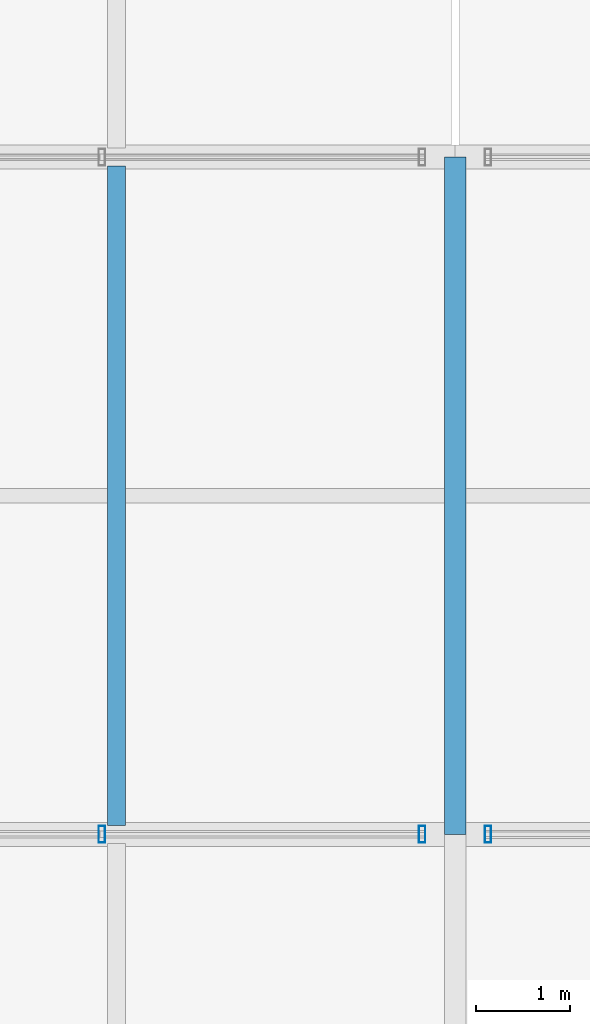
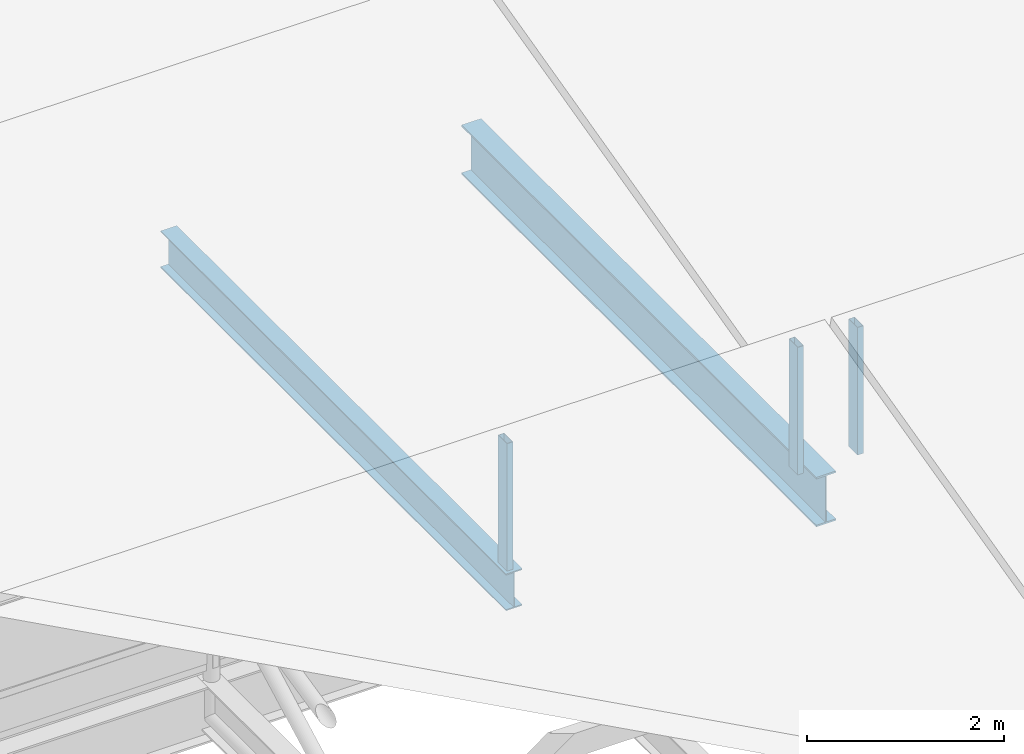
# One storey, part 55 of 144: 3 members, 2 beams, 2 elements without a shape of their own.
"""IFC4 building model written with IfcOpenShell, lengths in metres."""

from ifc_helpers import new_model, si_unit, direction, frame, origin, origin_2d, place, context, subcontext, project, spatial, hollow_rectangle, i_section, extrude, material, material_profile, profile_set, type_object, element, aggregate, save


model = new_model("IFC4")

# Units and contexts
model_context = context("Model", 3, precision=1e-05, world=origin(), true_north=direction((0.0, 1.0)))
body_context = subcontext(model_context, "Body", "Model", "MODEL_VIEW")
ifc_project = project(units=[si_unit("LENGTHUNIT", "METRE"), si_unit("AREAUNIT", "SQUARE_METRE"), si_unit("VOLUMEUNIT", "CUBIC_METRE"), si_unit("PLANEANGLEUNIT", "RADIAN"), si_unit("MASSUNIT", "GRAM", prefix="KILO")], contexts=[model_context])

# Site, building, storey
site_placement = place(None, origin())
site = spatial("IfcSite", under=ifc_project, at=site_placement, CompositionType="ELEMENT")
building_placement = place(site_placement, origin())
building = spatial("IfcBuilding", under=site, at=building_placement, Name="Yarey Park Central Fire Station", CompositionType="ELEMENT")
storey_placement = place(building_placement, frame((0.0, 0.0, 10.199951171875)))
storey = spatial("IfcBuildingStorey", under=building, at=storey_placement, Name="L03", CompositionType="ELEMENT", Elevation=10.199951171875)

# Curtain wall, members
ifc_material_1 = material(Name="Anodized Aluminium Frame", Category="aluminium")
curtain_wall_type = type_object("IfcCurtainWallType", Name="ENV_CW_SAW_18", PredefinedType="NOTDEFINED", material=ifc_material_1)
curtain_wall_1_placement = place(storey_placement, origin())
curtain_wall_1 = element("IfcCurtainWall", 1, at=curtain_wall_1_placement, inside=storey, type_object=curtain_wall_type, Name="CW_L03_SAW_1_1", PredefinedType="NOTDEFINED")
ifc_material_profile_1 = material_profile(ifc_material_1, hollow_rectangle(XDim=0.070068359375, YDim=0.179931640625, WallThickness=0.00390625, at=origin_2d()), Name="ALU 180x70x4")
ifc_profile_set_1 = profile_set([ifc_material_profile_1], Name="Anodized Aluminium Frame")
member_type = type_object("IfcMemberType", Name="ENV_CW_MULLION", PredefinedType="MULLION", material=ifc_profile_set_1)
member_1_placement = place(storey_placement, frame((150.85009765625, 50.39990234375, 0.0), z_axis=(0.0, 0.0, 1.0), x_axis=(1.0, 0.0, 0.0)))
member_1 = element("IfcMember", 2, at=member_1_placement, type_object=member_type, Name="CW_L03_SAW_1_1_MUL1", PredefinedType="MULLION", context=body_context, shape_type="SweptSolid", body=[
    extrude(hollow_rectangle(XDim=0.070068359375, YDim=0.179931640625, WallThickness=0.00390625, at=origin_2d()), origin(), (0.0, 0.0, 1.0), 1.580078125),
])
member_2_placement = place(storey_placement, frame((147.445068359375, 50.39990234375, 0.0), z_axis=(0.0, 0.0, 1.0), x_axis=(1.0, 0.0, 0.0)))
member_2 = element("IfcMember", 3, at=member_2_placement, type_object=member_type, Name="CW_L03_SAW_1_1_MUL2", PredefinedType="MULLION", context=body_context, shape_type="SweptSolid", body=[
    extrude(hollow_rectangle(XDim=0.070068359375, YDim=0.179931640625, WallThickness=0.00390625, at=origin_2d()), origin(), (0.0, 0.0, 1.0), 1.580078125),
])
aggregate(curtain_wall_1, [member_1, member_2])

# Curtain wall, member
curtain_wall_2_placement = place(storey_placement, origin())
curtain_wall_2 = element("IfcCurtainWall", 4, at=curtain_wall_2_placement, inside=storey, type_object=curtain_wall_type, Name="CW_L03_SAW_1_2", PredefinedType="NOTDEFINED")
member_3_placement = place(storey_placement, frame((151.550048828125, 50.39990234375, 0.0), z_axis=(0.0, 0.0, 1.0), x_axis=(1.0, 0.0, 0.0)))
member_3 = element("IfcMember", 5, at=member_3_placement, type_object=member_type, Name="CW_L03_SAW_1_2_MUL5", PredefinedType="MULLION", context=body_context, shape_type="SweptSolid", body=[
    extrude(hollow_rectangle(XDim=0.070068359375, YDim=0.179931640625, WallThickness=0.00390625, at=origin_2d()), origin(), (0.0, 0.0, 1.0), 1.580078125),
])
aggregate(curtain_wall_2, [member_3])

# Beams
ifc_material_2 = material(Name="Steel ASTM A992 Gr. 50", Category="steel")
ifc_material_profile_2 = material_profile(ifc_material_2, i_section(OverallWidth=0.22900390625, OverallDepth=0.612060546875, WebThickness=0.011962890625, FlangeThickness=0.01953125, at=origin_2d()), Name="W610x125")
ifc_profile_set_2 = profile_set([ifc_material_profile_2], Name="Steel ASTM A992 Gr. 50")
beam_type_1 = type_object("IfcBeamType", Name="STR_BM_W610", PredefinedType="BEAM", material=ifc_profile_set_2)
beam_1_placement = place(storey_placement, frame((151.199951171875, 50.39990234375, -0.48583984375), z_axis=(0.0, 1.0, 0.0), x_axis=(-1.0, 0.0, 0.0)))
element("IfcBeam", 6, at=beam_1_placement, inside=storey, type_object=beam_type_1, Name="BMY L03 X1512 Y504", PredefinedType="BEAM", context=body_context, shape_type="SweptSolid", body=[
    extrude(i_section(OverallWidth=0.22900390625, OverallDepth=0.612060546875, WebThickness=0.011962890625, FlangeThickness=0.01953125, at=origin_2d()), origin(), (0.0, 0.0, 1.0), 7.2001953125),
])
ifc_material_profile_3 = material_profile(ifc_material_2, i_section(OverallWidth=0.18994140625, OverallDepth=0.45703125, WebThickness=0.009033203125, FlangeThickness=0.014404296875, at=origin_2d()), Name="W460x74")
ifc_profile_set_3 = profile_set([ifc_material_profile_3], Name="Steel ASTM A992 Gr. 50")
beam_type_2 = type_object("IfcBeamType", Name="STR_JST_W460", PredefinedType="JOIST", material=ifc_profile_set_3)
beam_2_placement = place(storey_placement, frame((147.60009765625, 50.4951171875, -0.408447265625), z_axis=(0.0, 1.0, 0.0), x_axis=(-1.0, 0.0, 0.0)))
element("IfcBeam", 7, at=beam_2_placement, inside=storey, type_object=beam_type_2, Name="JST L03 X1476 Y504", PredefinedType="JOIST", context=body_context, shape_type="SweptSolid", body=[
    extrude(i_section(OverallWidth=0.18994140625, OverallDepth=0.45703125, WebThickness=0.009033203125, FlangeThickness=0.014404296875, at=origin_2d()), origin(), (0.0, 0.0, 1.0), 7.009765625),
])

save(model, "model.ifc")
